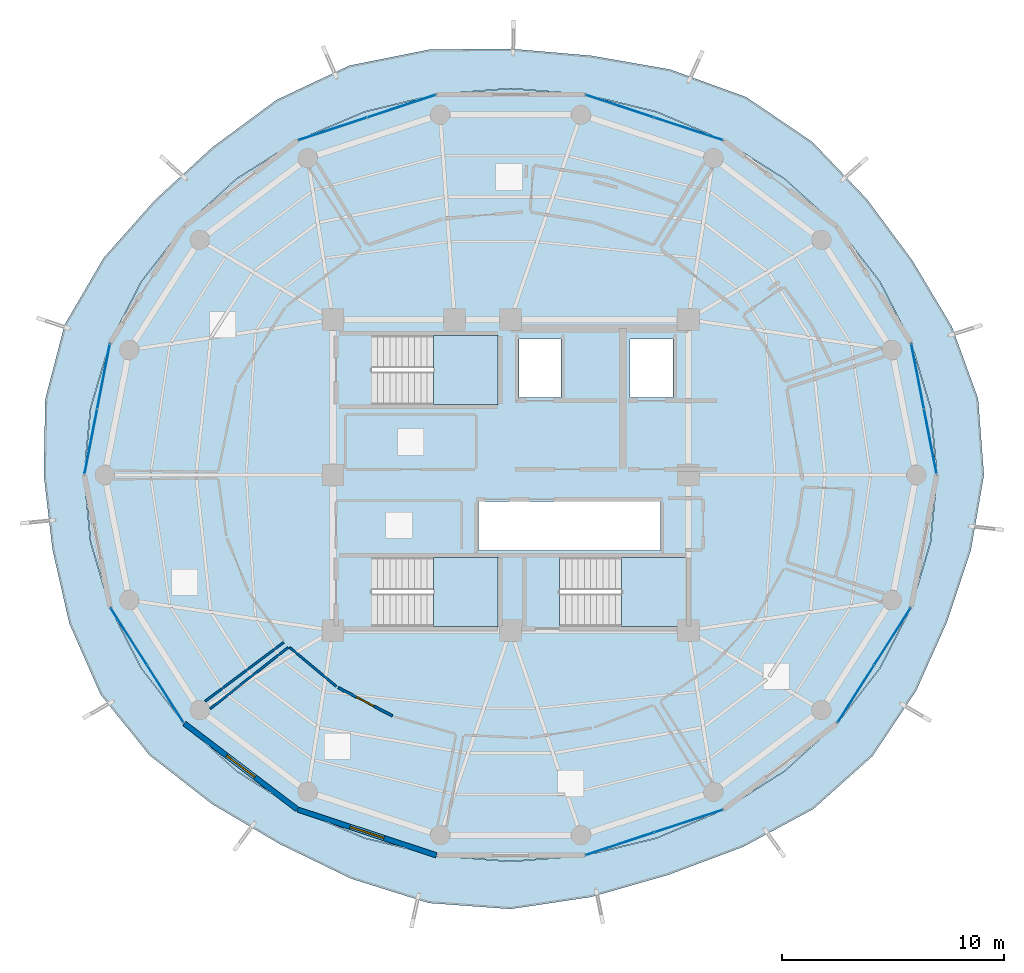
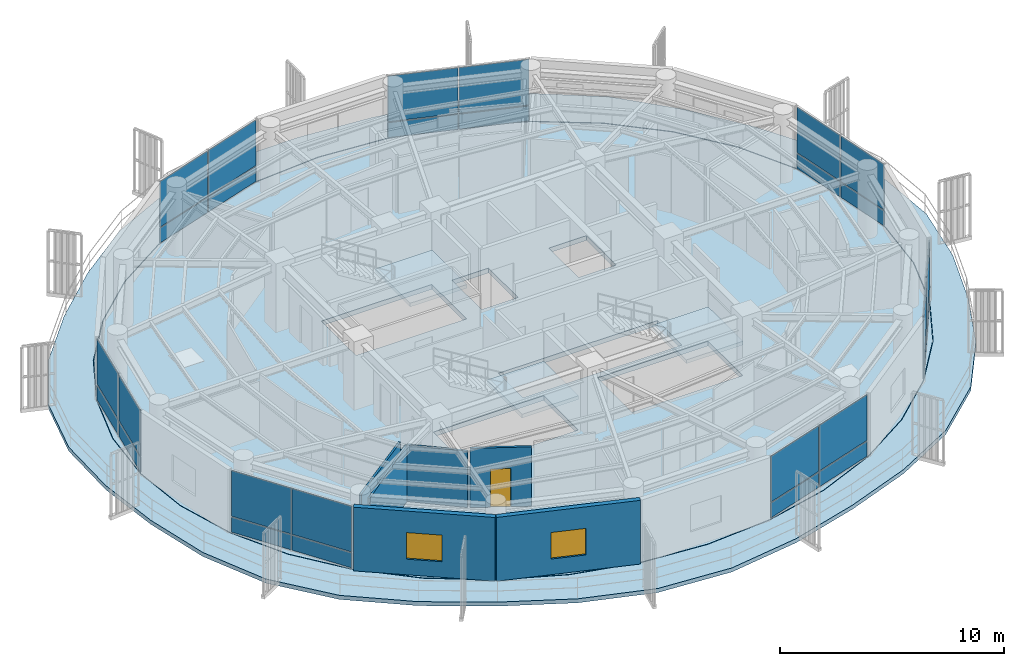
# One storey, part 14 of 22: 28 plates, 6 walls, 5 slabs, 2 windows, 1 door, 3 openings, 10 elements without a shape of their own.
"""IFC4 building model written with IfcOpenShell, lengths in metres."""

from ifc_helpers import new_model, si_unit, direction, frame, frame_2d, origin, origin_2d, place, context, subcontext, project, spatial, polyline, rectangle, outline, extrude, source, transform, mapped, material, layer, layer_set, type_object, element, fill, aggregate, save


model = new_model("IFC4")

# Units and contexts
model_context = context("Model", 3, precision=1e-05, world=origin(), true_north=direction((0.0, 1.0)))
body_context = subcontext(model_context, "Body", "Model", "MODEL_VIEW")
ifc_project = project(units=[si_unit("LENGTHUNIT", "METRE"), si_unit("AREAUNIT", "SQUARE_METRE"), si_unit("VOLUMEUNIT", "CUBIC_METRE"), si_unit("PLANEANGLEUNIT", "RADIAN"), si_unit("MASSUNIT", "GRAM", prefix="KILO")], contexts=[model_context])

# Site, building, storey
site_placement = place(None, origin())
site = spatial("IfcSite", under=ifc_project, at=site_placement, CompositionType="ELEMENT")
building_placement = place(site_placement, origin())
building = spatial("IfcBuilding", under=site, at=building_placement, Name="Kelanora Arch Commons", CompositionType="ELEMENT")
storey_placement = place(building_placement, frame((0.0, 0.0, 259.949951171875)))
storey = spatial("IfcBuildingStorey", under=building, at=storey_placement, Name="L66", CompositionType="ELEMENT", Elevation=259.949951171875)

# Stair, slab
ifc_material_1 = material(Name="Concrete C40/50", Category="concrete")
stair_type = type_object("IfcStairType", Name="STR-DL-375", PredefinedType="HALF_TURN_STAIR", material=ifc_material_1)
stair_1_placement = place(storey_placement, origin())
stair_1 = element("IfcStair", 1, at=stair_1_placement, inside=storey, type_object=stair_type, Name="L66 ST-T1", PredefinedType="HALF_TURN_STAIR")
ifc_layer_1 = layer(ifc_material_1, 0.199951171875)
ifc_layer_set_1 = layer_set([ifc_layer_1], Name="Concrete C40/50")
slab_type_1 = type_object("IfcSlabType", Name="SLB-STAIR-LND", PredefinedType="LANDING", material=ifc_layer_set_1)
slab_1_placement = place(storey_placement, frame((0.0, 0.0, 1.675048828125)))
slab_1 = element("IfcSlab", 2, at=slab_1_placement, type_object=slab_type_1, Name="ST-T1 landing 1", PredefinedType="LANDING", context=body_context, shape_type="SweptSolid", body=[
    extrude(outline(polyline([(70.52001953125, 61.179931640625), (73.43994140625, 61.179931640625), (73.43994140625, 64.2900390625), (70.52001953125, 64.2900390625), (70.52001953125, 61.179931640625)])), origin(), (0.0, 0.0, 1.0), 0.199951171875),
])
aggregate(stair_1, [slab_1])

stair_2_placement = place(storey_placement, origin())
stair_2 = element("IfcStair", 3, at=stair_2_placement, inside=storey, type_object=stair_type, Name="L66 ST-T2", PredefinedType="HALF_TURN_STAIR")
slab_2_placement = place(storey_placement, frame((0.0, 0.0, 1.675048828125)))
slab_2 = element("IfcSlab", 4, at=slab_2_placement, type_object=slab_type_1, Name="ST-T2 landing 1", PredefinedType="LANDING", context=body_context, shape_type="SweptSolid", body=[
    extrude(outline(polyline([(79.0, 51.179931640625), (81.919921875, 51.179931640625), (81.919921875, 54.2900390625), (79.0, 54.2900390625), (79.0, 51.179931640625)])), origin(), (0.0, 0.0, 1.0), 0.199951171875),
])
aggregate(stair_2, [slab_2])

stair_3_placement = place(storey_placement, origin())
stair_3 = element("IfcStair", 5, at=stair_3_placement, inside=storey, type_object=stair_type, Name="L66 ST-T3", PredefinedType="HALF_TURN_STAIR")
slab_3_placement = place(storey_placement, frame((0.0, 0.0, 1.675048828125)))
slab_3 = element("IfcSlab", 6, at=slab_3_placement, type_object=slab_type_1, Name="ST-T3 landing 1", PredefinedType="LANDING", context=body_context, shape_type="SweptSolid", body=[
    extrude(outline(polyline([(70.52001953125, 51.179931640625), (73.43994140625, 51.179931640625), (73.43994140625, 54.2900390625), (70.52001953125, 54.2900390625), (70.52001953125, 51.179931640625)])), origin(), (0.0, 0.0, 1.0), 0.199951171875),
])
aggregate(stair_3, [slab_3])

# Slabs
ifc_layer_2 = layer(ifc_material_1, 0.260009765625)
ifc_layer_set_2 = layer_set([ifc_layer_2], Name="Concrete C40/50")
slab_type_2 = type_object("IfcSlabType", Name="SLB-TWR-TYP", PredefinedType="FLOOR", material=ifc_layer_set_2)
slab_4_placement = place(storey_placement, frame((0.0, 0.0, -0.260009765625)))
element("IfcSlab", 7, at=slab_4_placement, inside=storey, type_object=slab_type_2, Name="Tower Floor Slab L66", PredefinedType="FLOOR", context=body_context, shape_type="SweptSolid", body=[
    extrude(outline(polyline([(93.199951171875, 58.0), (92.908203125, 61.021484375), (92.0419921875, 63.951171875), (90.627685546875, 66.699951171875), (88.7080078125, 69.1845703125), (86.341552734375, 71.3291015625), (83.60009765625, 73.06884765625), (80.56689453125, 74.3505859375), (77.333984375, 75.1357421875), (74.0, 75.39990234375), (70.666015625, 75.1357421875), (67.43310546875, 74.3505859375), (64.39990234375, 73.06884765625), (61.658447265625, 71.3291015625), (59.2919921875, 69.1845703125), (57.372314453125, 66.699951171875), (55.9580078125, 63.951171875), (55.091796875, 61.021484375), (54.800048828125, 58.0), (55.091796875, 54.978515625), (55.9580078125, 52.048828125), (57.372314453125, 49.300048828125), (59.2919921875, 46.8154296875), (61.658447265625, 44.6708984375), (64.39990234375, 42.93115234375), (67.43310546875, 41.6494140625), (70.666015625, 40.8642578125), (74.0, 40.60009765625), (77.333984375, 40.8642578125), (80.56689453125, 41.6494140625), (83.60009765625, 42.93115234375), (86.341552734375, 44.6708984375), (88.7080078125, 46.8154296875), (90.627685546875, 49.300048828125), (92.0419921875, 52.048828125), (92.908203125, 54.978515625), (93.199951171875, 58.0)]), holes=[polyline([(73.431884765625, 51.18798828125), (67.72802734375, 51.18798828125), (67.72802734375, 54.281982421875), (73.431884765625, 54.281982421875), (73.431884765625, 51.18798828125)]), polyline([(76.2080078125, 51.18798828125), (76.2080078125, 54.281982421875), (81.912109375, 54.281982421875), (81.912109375, 51.18798828125), (76.2080078125, 51.18798828125)]), polyline([(72.550048828125, 54.60009765625), (72.550048828125, 56.800048828125), (80.75, 56.800048828125), (80.75, 54.60009765625), (72.550048828125, 54.60009765625)]), polyline([(73.431884765625, 61.18798828125), (67.72802734375, 61.18798828125), (67.72802734375, 64.281982421875), (73.431884765625, 64.281982421875), (73.431884765625, 61.18798828125)]), polyline([(74.3798828125, 61.47998046875), (74.3798828125, 64.1201171875), (76.260009765625, 64.1201171875), (76.260009765625, 61.47998046875), (74.3798828125, 61.47998046875)]), polyline([(79.3798828125, 61.47998046875), (79.3798828125, 64.1201171875), (81.320068359375, 64.1201171875), (81.320068359375, 61.47998046875), (79.3798828125, 61.47998046875)])]), origin(), (0.0, 0.0, 1.0), 0.260009765625),
])
ifc_layer_3 = layer(ifc_material_1, 0.219970703125)
ifc_layer_set_3 = layer_set([ifc_layer_3], Name="Concrete C40/50")
slab_type_3 = type_object("IfcSlabType", Name="SLB-WAVE-BAL", PredefinedType="FLOOR", material=ifc_layer_set_3)
slab_5_placement = place(storey_placement, frame((0.0, 0.0, -0.219970703125)))
element("IfcSlab", 8, at=slab_5_placement, inside=storey, type_object=slab_type_3, Name="Sinusoidal Wave Balcony Slab L66", PredefinedType="FLOOR", context=body_context, shape_type="SweptSolid", body=[
    extrude(outline(polyline([(95.32275390625, 58.0), (95.05908203125, 61.43994140625), (93.874755859375, 64.687255859375), (92.111083984375, 67.64501953125), (90.048828125, 70.42578125), (87.606689453125, 72.992919921875), (84.62060546875, 75.01953125), (81.197998046875, 76.26416015625), (77.6142578125, 76.88916015625), (74.0, 77.19873046875), (70.341796875, 77.16357421875), (66.742431640625, 76.444580078125), (63.447998046875, 74.888427734375), (60.569580078125, 72.760986328125), (57.989013671875, 70.39111328125), (55.6728515625, 67.78271484375), (53.9150390625, 64.771484375), (53.040283203125, 61.420654296875), (52.972900390625, 58.0), (53.365234375, 54.642578125), (54.125244140625, 51.312744140625), (55.5244140625, 48.122802734375), (57.734375, 45.373291015625), (60.53271484375, 43.190185546875), (63.58935546875, 41.3818359375), (66.8271484375, 39.811767578125), (70.322998046875, 38.71728515625), (74.0, 38.44873046875), (77.63330078125, 38.99169921875), (81.11328125, 39.9921875), (84.47900390625, 41.2509765625), (87.6435546875, 42.95849609375), (90.303466796875, 45.33837890625), (92.259765625, 48.26025390625), (93.66455078125, 51.397216796875), (94.734130859375, 54.623291015625), (95.32275390625, 58.0)]), holes=[polyline([(92.927978515625, 54.97509765625), (92.060791015625, 52.0419921875), (90.64501953125, 49.2900390625), (88.723388671875, 46.802490234375), (86.3544921875, 44.655517578125), (83.610107421875, 42.913818359375), (80.573486328125, 41.630615234375), (77.33740234375, 40.844482421875), (74.0, 40.580078125), (70.66259765625, 40.844482421875), (67.426513671875, 41.630615234375), (64.389892578125, 42.913818359375), (61.6455078125, 44.655517578125), (59.276611328125, 46.802490234375), (57.35498046875, 49.2900390625), (55.939208984375, 52.0419921875), (55.072021484375, 54.97509765625), (54.780029296875, 58.0), (55.072021484375, 61.02490234375), (55.939208984375, 63.9580078125), (57.35498046875, 66.7099609375), (59.276611328125, 69.197509765625), (61.6455078125, 71.344482421875), (64.389892578125, 73.086181640625), (67.426513671875, 74.369384765625), (70.66259765625, 75.155517578125), (74.0, 75.419921875), (77.33740234375, 75.155517578125), (80.573486328125, 74.369384765625), (83.610107421875, 73.086181640625), (86.3544921875, 71.344482421875), (88.723388671875, 69.197509765625), (90.64501953125, 66.7099609375), (92.060791015625, 63.9580078125), (92.927978515625, 61.02490234375), (93.219970703125, 58.0), (92.927978515625, 54.97509765625)])]), origin(), (0.0, 0.0, 1.0), 0.219970703125),
])

# Curtain wall, plates
ifc_material_2 = material(Name="Terracotta ceramic-fritted low-E glass and aluminium", Category="masonry")
ifc_layer_4 = layer(ifc_material_2, 0.18994140625)
ifc_layer_set_4 = layer_set([ifc_layer_4], Name="Terracotta ceramic-fritted low-E glass and aluminium")
curtain_wall_type = type_object("IfcCurtainWallType", Name="CW-SYS-03", PredefinedType="NOTDEFINED", material=ifc_layer_set_4)
curtain_wall_1_placement = place(storey_placement, origin())
curtain_wall_1 = element("IfcCurtainWall", 9, at=curtain_wall_1_placement, inside=storey, type_object=curtain_wall_type, Name="Unitised Curtain Wall L66-B00", PredefinedType="NOTDEFINED")
ifc_material_3 = material(Name="Terracotta ceramic-fritted double glazing", Category="masonry")
ifc_layer_5 = layer(ifc_material_3, 0.028076171875)
ifc_layer_set_5 = layer_set([ifc_layer_5], Name="Terracotta ceramic-fritted double glazing")
plate_type = type_object("IfcPlateType", Name="CWP-FRIT", PredefinedType="CURTAIN_PANEL", material=ifc_layer_set_5)
shared_shape_1 = source(origin(), body_context, "Body", "SweptSolid", [
    extrude(rectangle(XDim=2.926513671875, YDim=0.028076171875, at=origin_2d()), origin(), (0.0, 0.0, 1.0), 0.81005859375),
])
plate_1_placement = place(storey_placement, frame((92.90625, 59.509765625, 0.06005859375), z_axis=(0.0, 0.0, 1.0), x_axis=(-0.190971701941, 0.981595542501, 0.0)))
plate_1 = element("IfcPlate", 10, at=plate_1_placement, type_object=plate_type, Name="CW-03 panel 1.1", PredefinedType="CURTAIN_PANEL", context=body_context, shape_type="MappedRepresentation", body=[
    mapped(shared_shape_1, transform((0.0, 0.0, 0.0), scale=1.0)),
])
plate_2_placement = place(storey_placement, frame((92.3359375, 62.44140625, 0.06005859375), z_axis=(0.0, 0.0, 1.0), x_axis=(-0.190971701941, 0.981595542501, 0.0)))
plate_2 = element("IfcPlate", 11, at=plate_2_placement, type_object=plate_type, Name="CW-03 panel 2.1", PredefinedType="CURTAIN_PANEL", context=body_context, shape_type="MappedRepresentation", body=[
    mapped(shared_shape_1, transform((0.0, 0.0, 0.0), scale=1.0)),
])

curtain_wall_2_placement = place(storey_placement, origin())
curtain_wall_2 = element("IfcCurtainWall", 12, at=curtain_wall_2_placement, inside=storey, type_object=curtain_wall_type, Name="Unitised Curtain Wall L66-B08", PredefinedType="NOTDEFINED")
plate_3_placement = place(storey_placement, frame((55.6640625, 62.44140625, 0.06005859375), z_axis=(0.0, 0.0, 1.0), x_axis=(-0.190971701941, -0.981595542501, 0.0)))
plate_3 = element("IfcPlate", 13, at=plate_3_placement, type_object=plate_type, Name="CW-03 panel 1.1", PredefinedType="CURTAIN_PANEL", context=body_context, shape_type="MappedRepresentation", body=[
    mapped(shared_shape_1, transform((0.0, 0.0, 0.0), scale=1.0)),
])
plate_4_placement = place(storey_placement, frame((55.09375, 59.509765625, 0.06005859375), z_axis=(0.0, 0.0, 1.0), x_axis=(-0.190971701941, -0.981595542501, 0.0)))
plate_4 = element("IfcPlate", 14, at=plate_4_placement, type_object=plate_type, Name="CW-03 panel 2.1", PredefinedType="CURTAIN_PANEL", context=body_context, shape_type="MappedRepresentation", body=[
    mapped(shared_shape_1, transform((0.0, 0.0, 0.0), scale=1.0)),
])

# Plate
shared_shape_2 = source(origin(), body_context, "Body", "SweptSolid", [
    extrude(rectangle(XDim=2.926513671875, YDim=0.028076171875, at=origin_2d()), origin(), (0.0, 0.0, 1.0), 2.485107421875),
])
plate_5_placement = place(storey_placement, frame((92.90625, 59.509765625, 0.93017578125), z_axis=(0.0, 0.0, 1.0), x_axis=(-0.190971701941, 0.981595542501, 0.0)))
plate_5 = element("IfcPlate", 15, at=plate_5_placement, type_object=plate_type, Name="CW-03 panel 1.2", PredefinedType="CURTAIN_PANEL", context=body_context, shape_type="MappedRepresentation", body=[
    mapped(shared_shape_2, transform((0.0, 0.0, 0.0), scale=1.0)),
])

plate_6_placement = place(storey_placement, frame((92.3359375, 62.44140625, 0.93017578125), z_axis=(0.0, 0.0, 1.0), x_axis=(-0.190971701941, 0.981595542501, 0.0)))
plate_6 = element("IfcPlate", 16, at=plate_6_placement, type_object=plate_type, Name="CW-03 panel 2.2", PredefinedType="CURTAIN_PANEL", context=body_context, shape_type="MappedRepresentation", body=[
    mapped(shared_shape_2, transform((0.0, 0.0, 0.0), scale=1.0)),
])

aggregate(curtain_wall_1, [plate_1, plate_5, plate_2, plate_6])

plate_7_placement = place(storey_placement, frame((55.6640625, 62.44140625, 0.93017578125), z_axis=(0.0, 0.0, 1.0), x_axis=(-0.190971701941, -0.981595542501, 0.0)))
plate_7 = element("IfcPlate", 17, at=plate_7_placement, type_object=plate_type, Name="CW-03 panel 1.2", PredefinedType="CURTAIN_PANEL", context=body_context, shape_type="MappedRepresentation", body=[
    mapped(shared_shape_2, transform((0.0, 0.0, 0.0), scale=1.0)),
])

plate_8_placement = place(storey_placement, frame((55.09375, 59.509765625, 0.93017578125), z_axis=(0.0, 0.0, 1.0), x_axis=(-0.190971701941, -0.981595542501, 0.0)))
plate_8 = element("IfcPlate", 18, at=plate_8_placement, type_object=plate_type, Name="CW-03 panel 2.2", PredefinedType="CURTAIN_PANEL", context=body_context, shape_type="MappedRepresentation", body=[
    mapped(shared_shape_2, transform((0.0, 0.0, 0.0), scale=1.0)),
])

aggregate(curtain_wall_2, [plate_3, plate_7, plate_4, plate_8])

# Curtain wall, plates
curtain_wall_3_placement = place(storey_placement, origin())
curtain_wall_3 = element("IfcCurtainWall", 19, at=curtain_wall_3_placement, inside=storey, type_object=curtain_wall_type, Name="Unitised Curtain Wall L66-B03", PredefinedType="NOTDEFINED")
shared_shape_3 = source(origin(), body_context, "Body", "SweptSolid", [
    extrude(rectangle(XDim=3.194091796875, YDim=0.028076171875, at=origin_2d()), origin(), (0.0, 0.0, 1.0), 0.81005859375),
])
plate_9_placement = place(storey_placement, frame((82.01220703125, 73.592529296875, 0.06005859375), z_axis=(0.0, 0.0, 1.0), x_axis=(-0.949669780752, 0.313252785344, 0.0)))
plate_9 = element("IfcPlate", 20, at=plate_9_placement, type_object=plate_type, Name="CW-03 panel 1.1", PredefinedType="CURTAIN_PANEL", context=body_context, shape_type="MappedRepresentation", body=[
    mapped(shared_shape_3, transform((0.0, 0.0, 0.0), scale=1.0)),
])
plate_10_placement = place(storey_placement, frame((78.921875, 74.61181640625, 0.06005859375), z_axis=(0.0, 0.0, 1.0), x_axis=(-0.949669780752, 0.313252785344, 0.0)))
plate_10 = element("IfcPlate", 21, at=plate_10_placement, type_object=plate_type, Name="CW-03 panel 2.1", PredefinedType="CURTAIN_PANEL", context=body_context, shape_type="MappedRepresentation", body=[
    mapped(shared_shape_3, transform((0.0, 0.0, 0.0), scale=1.0)),
])

curtain_wall_4_placement = place(storey_placement, origin())
curtain_wall_4 = element("IfcCurtainWall", 22, at=curtain_wall_4_placement, inside=storey, type_object=curtain_wall_type, Name="Unitised Curtain Wall L66-B05", PredefinedType="NOTDEFINED")
plate_11_placement = place(storey_placement, frame((69.078125, 74.61181640625, 0.06005859375), z_axis=(0.0, 0.0, 1.0), x_axis=(-0.949669780752, -0.313252785344, 0.0)))
plate_11 = element("IfcPlate", 23, at=plate_11_placement, type_object=plate_type, Name="CW-03 panel 1.1", PredefinedType="CURTAIN_PANEL", context=body_context, shape_type="MappedRepresentation", body=[
    mapped(shared_shape_3, transform((0.0, 0.0, 0.0), scale=1.0)),
])
plate_12_placement = place(storey_placement, frame((65.98779296875, 73.592529296875, 0.06005859375), z_axis=(0.0, 0.0, 1.0), x_axis=(-0.949669780752, -0.313252785344, 0.0)))
plate_12 = element("IfcPlate", 24, at=plate_12_placement, type_object=plate_type, Name="CW-03 panel 2.1", PredefinedType="CURTAIN_PANEL", context=body_context, shape_type="MappedRepresentation", body=[
    mapped(shared_shape_3, transform((0.0, 0.0, 0.0), scale=1.0)),
])

curtain_wall_5_placement = place(storey_placement, origin())
curtain_wall_5 = element("IfcCurtainWall", 25, at=curtain_wall_5_placement, inside=storey, type_object=curtain_wall_type, Name="Unitised Curtain Wall L66-B14", PredefinedType="NOTDEFINED")
plate_13_placement = place(storey_placement, frame((78.921875, 41.38818359375, 0.06005859375), z_axis=(0.0, 0.0, 1.0), x_axis=(0.949669780752, 0.313252785344, 0.0)))
plate_13 = element("IfcPlate", 26, at=plate_13_placement, type_object=plate_type, Name="CW-03 panel 1.1", PredefinedType="CURTAIN_PANEL", context=body_context, shape_type="MappedRepresentation", body=[
    mapped(shared_shape_3, transform((0.0, 0.0, 0.0), scale=1.0)),
])
plate_14_placement = place(storey_placement, frame((82.01220703125, 42.407470703125, 0.06005859375), z_axis=(0.0, 0.0, 1.0), x_axis=(0.949669780752, 0.313252785344, 0.0)))
plate_14 = element("IfcPlate", 27, at=plate_14_placement, type_object=plate_type, Name="CW-03 panel 2.1", PredefinedType="CURTAIN_PANEL", context=body_context, shape_type="MappedRepresentation", body=[
    mapped(shared_shape_3, transform((0.0, 0.0, 0.0), scale=1.0)),
])

# Plate
shared_shape_4 = source(origin(), body_context, "Body", "SweptSolid", [
    extrude(rectangle(XDim=3.194091796875, YDim=0.028076171875, at=origin_2d()), origin(), (0.0, 0.0, 1.0), 2.485107421875),
])
plate_15_placement = place(storey_placement, frame((82.01220703125, 73.592529296875, 0.93017578125), z_axis=(0.0, 0.0, 1.0), x_axis=(-0.949669780752, 0.313252785344, 0.0)))
plate_15 = element("IfcPlate", 28, at=plate_15_placement, type_object=plate_type, Name="CW-03 panel 1.2", PredefinedType="CURTAIN_PANEL", context=body_context, shape_type="MappedRepresentation", body=[
    mapped(shared_shape_4, transform((0.0, 0.0, 0.0), scale=1.0)),
])

plate_16_placement = place(storey_placement, frame((78.921875, 74.61181640625, 0.93017578125), z_axis=(0.0, 0.0, 1.0), x_axis=(-0.949669780752, 0.313252785344, 0.0)))
plate_16 = element("IfcPlate", 29, at=plate_16_placement, type_object=plate_type, Name="CW-03 panel 2.2", PredefinedType="CURTAIN_PANEL", context=body_context, shape_type="MappedRepresentation", body=[
    mapped(shared_shape_4, transform((0.0, 0.0, 0.0), scale=1.0)),
])

aggregate(curtain_wall_3, [plate_9, plate_15, plate_10, plate_16])

plate_17_placement = place(storey_placement, frame((69.078125, 74.61181640625, 0.93017578125), z_axis=(0.0, 0.0, 1.0), x_axis=(-0.949669780752, -0.313252785344, 0.0)))
plate_17 = element("IfcPlate", 30, at=plate_17_placement, type_object=plate_type, Name="CW-03 panel 1.2", PredefinedType="CURTAIN_PANEL", context=body_context, shape_type="MappedRepresentation", body=[
    mapped(shared_shape_4, transform((0.0, 0.0, 0.0), scale=1.0)),
])

plate_18_placement = place(storey_placement, frame((65.98779296875, 73.592529296875, 0.93017578125), z_axis=(0.0, 0.0, 1.0), x_axis=(-0.949669780752, -0.313252785344, 0.0)))
plate_18 = element("IfcPlate", 31, at=plate_18_placement, type_object=plate_type, Name="CW-03 panel 2.2", PredefinedType="CURTAIN_PANEL", context=body_context, shape_type="MappedRepresentation", body=[
    mapped(shared_shape_4, transform((0.0, 0.0, 0.0), scale=1.0)),
])

aggregate(curtain_wall_4, [plate_11, plate_17, plate_12, plate_18])

plate_19_placement = place(storey_placement, frame((78.921875, 41.38818359375, 0.93017578125), z_axis=(0.0, 0.0, 1.0), x_axis=(0.949669780752, 0.313252785344, 0.0)))
plate_19 = element("IfcPlate", 32, at=plate_19_placement, type_object=plate_type, Name="CW-03 panel 1.2", PredefinedType="CURTAIN_PANEL", context=body_context, shape_type="MappedRepresentation", body=[
    mapped(shared_shape_4, transform((0.0, 0.0, 0.0), scale=1.0)),
])

plate_20_placement = place(storey_placement, frame((82.01220703125, 42.407470703125, 0.93017578125), z_axis=(0.0, 0.0, 1.0), x_axis=(0.949669780752, 0.313252785344, 0.0)))
plate_20 = element("IfcPlate", 33, at=plate_20_placement, type_object=plate_type, Name="CW-03 panel 2.2", PredefinedType="CURTAIN_PANEL", context=body_context, shape_type="MappedRepresentation", body=[
    mapped(shared_shape_4, transform((0.0, 0.0, 0.0), scale=1.0)),
])

aggregate(curtain_wall_5, [plate_13, plate_19, plate_14, plate_20])

# Curtain wall, plates
curtain_wall_6_placement = place(storey_placement, origin())
curtain_wall_6 = element("IfcCurtainWall", 34, at=curtain_wall_6_placement, inside=storey, type_object=curtain_wall_type, Name="Unitised Curtain Wall L66-B10", PredefinedType="NOTDEFINED")
shared_shape_5 = source(origin(), body_context, "Body", "SweptSolid", [
    extrude(rectangle(XDim=2.99755859375, YDim=0.028076171875, at=origin_2d()), origin(), (0.0, 0.0, 1.0), 0.81005859375),
])
plate_21_placement = place(storey_placement, frame((56.803466796875, 50.721435546875, 0.06005859375), z_axis=(0.0, 0.0, 1.0), x_axis=(0.537299814397, -0.843391314545, 0.0)))
plate_21 = element("IfcPlate", 35, at=plate_21_placement, type_object=plate_type, Name="CW-03 panel 1.1", PredefinedType="CURTAIN_PANEL", context=body_context, shape_type="MappedRepresentation", body=[
    mapped(shared_shape_5, transform((0.0, 0.0, 0.0), scale=1.0)),
])
plate_22_placement = place(storey_placement, frame((58.4462890625, 48.142822265625, 0.06005859375), z_axis=(0.0, 0.0, 1.0), x_axis=(0.537299814397, -0.843391314545, 0.0)))
plate_22 = element("IfcPlate", 36, at=plate_22_placement, type_object=plate_type, Name="CW-03 panel 2.1", PredefinedType="CURTAIN_PANEL", context=body_context, shape_type="MappedRepresentation", body=[
    mapped(shared_shape_5, transform((0.0, 0.0, 0.0), scale=1.0)),
])

curtain_wall_7_placement = place(storey_placement, origin())
curtain_wall_7 = element("IfcCurtainWall", 37, at=curtain_wall_7_placement, inside=storey, type_object=curtain_wall_type, Name="Unitised Curtain Wall L66-B16", PredefinedType="NOTDEFINED")
plate_23_placement = place(storey_placement, frame((89.5537109375, 48.142822265625, 0.06005859375), z_axis=(0.0, 0.0, 1.0), x_axis=(0.537299814397, 0.843391314545, 0.0)))
plate_23 = element("IfcPlate", 38, at=plate_23_placement, type_object=plate_type, Name="CW-03 panel 1.1", PredefinedType="CURTAIN_PANEL", context=body_context, shape_type="MappedRepresentation", body=[
    mapped(shared_shape_5, transform((0.0, 0.0, 0.0), scale=1.0)),
])
plate_24_placement = place(storey_placement, frame((91.196533203125, 50.721435546875, 0.06005859375), z_axis=(0.0, 0.0, 1.0), x_axis=(0.537299814397, 0.843391314545, 0.0)))
plate_24 = element("IfcPlate", 39, at=plate_24_placement, type_object=plate_type, Name="CW-03 panel 2.1", PredefinedType="CURTAIN_PANEL", context=body_context, shape_type="MappedRepresentation", body=[
    mapped(shared_shape_5, transform((0.0, 0.0, 0.0), scale=1.0)),
])

# Plate
shared_shape_6 = source(origin(), body_context, "Body", "SweptSolid", [
    extrude(rectangle(XDim=2.99755859375, YDim=0.028076171875, at=origin_2d()), origin(), (0.0, 0.0, 1.0), 2.485107421875),
])
plate_25_placement = place(storey_placement, frame((56.803466796875, 50.721435546875, 0.93017578125), z_axis=(0.0, 0.0, 1.0), x_axis=(0.537299814397, -0.843391314545, 0.0)))
plate_25 = element("IfcPlate", 40, at=plate_25_placement, type_object=plate_type, Name="CW-03 panel 1.2", PredefinedType="CURTAIN_PANEL", context=body_context, shape_type="MappedRepresentation", body=[
    mapped(shared_shape_6, transform((0.0, 0.0, 0.0), scale=1.0)),
])

plate_26_placement = place(storey_placement, frame((58.4462890625, 48.142822265625, 0.93017578125), z_axis=(0.0, 0.0, 1.0), x_axis=(0.537299814397, -0.843391314545, 0.0)))
plate_26 = element("IfcPlate", 41, at=plate_26_placement, type_object=plate_type, Name="CW-03 panel 2.2", PredefinedType="CURTAIN_PANEL", context=body_context, shape_type="MappedRepresentation", body=[
    mapped(shared_shape_6, transform((0.0, 0.0, 0.0), scale=1.0)),
])

aggregate(curtain_wall_6, [plate_21, plate_25, plate_22, plate_26])

plate_27_placement = place(storey_placement, frame((89.5537109375, 48.142822265625, 0.93017578125), z_axis=(0.0, 0.0, 1.0), x_axis=(0.537299814397, 0.843391314545, 0.0)))
plate_27 = element("IfcPlate", 42, at=plate_27_placement, type_object=plate_type, Name="CW-03 panel 1.2", PredefinedType="CURTAIN_PANEL", context=body_context, shape_type="MappedRepresentation", body=[
    mapped(shared_shape_6, transform((0.0, 0.0, 0.0), scale=1.0)),
])

plate_28_placement = place(storey_placement, frame((91.196533203125, 50.721435546875, 0.93017578125), z_axis=(0.0, 0.0, 1.0), x_axis=(0.537299814397, 0.843391314545, 0.0)))
plate_28 = element("IfcPlate", 43, at=plate_28_placement, type_object=plate_type, Name="CW-03 panel 2.2", PredefinedType="CURTAIN_PANEL", context=body_context, shape_type="MappedRepresentation", body=[
    mapped(shared_shape_6, transform((0.0, 0.0, 0.0), scale=1.0)),
])

aggregate(curtain_wall_7, [plate_23, plate_27, plate_24, plate_28])

# Wall, opening, window
ifc_material_4 = material(Name="Precast concrete C40/50 upper-zone terracotta rainscreen", Category="masonry")
ifc_layer_6 = layer(ifc_material_4, 0.239990234375)
ifc_layer_set_6 = layer_set([ifc_layer_6], Name="Precast concrete C40/50 upper-zone terracotta rainscreen")
wall_type_1 = type_object("IfcWallType", Name="W-EXT-TC2", PredefinedType="SOLIDWALL", material=ifc_layer_set_6)
wall_1_placement = place(storey_placement, frame((59.3037109375, 46.806396484375, 0.0), z_axis=(0.0, 0.0, 1.0), x_axis=(0.796010444211, -0.605282886514, 0.0)))
wall_1 = element("IfcWall", 44, at=wall_1_placement, inside=storey, type_object=wall_type_1, Name="Terracotta Exterior Wall L66-B11", PredefinedType="SOLIDWALL", context=body_context, shape_type="SweptSolid", body=[
    extrude(rectangle(XDim=6.387451171875, YDim=0.239990234375, at=frame_2d((3.19384765625, 0.0))), origin(), (0.0, 0.0, 1.0), 3.47509765625),
])
opening_1_placement = place(wall_1_placement, frame((2.39404296875, 0.0, 0.85009765625)))
opening_1 = element("IfcOpeningElement", 45, at=opening_1_placement, cuts=wall_1, Name="Opening WN-01", PredefinedType="OPENING", context=body_context, shape_type="SweptSolid", body=[
    extrude(rectangle(XDim=1.60009765625, YDim=1.449951171875, at=frame_2d((0.800048828125, 0.72509765625))), frame((0.0, 0.1298828125, 0.0), z_axis=(0.0, -1.0, 0.0), x_axis=(1.0, 0.0, 0.0)), (0.0, 0.0, 1.0), 0.260009765625),
])
ifc_material_5 = material(Name="Terracotta-anodised aluminium frame with operable low-E glazing", Category="masonry")
window_type = type_object("IfcWindowType", Name="WIN-CL-18", PartitioningType="DOUBLE_PANEL_VERTICAL", PredefinedType="WINDOW", material=ifc_material_5)
window_1_placement = place(opening_1_placement, origin())
window_1 = element("IfcWindow", 46, at=window_1_placement, inside=storey, type_object=window_type, Name="Co-Living Operable Window L66-B11", OverallHeight=1.449951171875, OverallWidth=1.60009765625, PartitioningType="SINGLE_PANEL", PredefinedType="WINDOW", context=body_context, shape_type="SweptSolid", body=[
    extrude(rectangle(XDim=1.60009765625, YDim=1.449951171875, at=frame_2d((0.800048828125, 0.72509765625))), frame((0.0, 0.030029296875, 0.0), z_axis=(0.0, -1.0, 0.0), x_axis=(1.0, 0.0, 0.0)), (0.0, 0.0, 1.0), 0.06005859375),
])
fill(opening_1, window_1)

wall_2_placement = place(storey_placement, frame((64.414306640625, 42.926513671875, 0.0), z_axis=(0.0, 0.0, 1.0), x_axis=(0.949663708393, -0.313271193954, 0.0)))
wall_2 = element("IfcWall", 47, at=wall_2_placement, inside=storey, type_object=wall_type_1, Name="Terracotta Exterior Wall L66-B12", PredefinedType="SOLIDWALL", context=body_context, shape_type="SweptSolid", body=[
    extrude(rectangle(XDim=6.568115234375, YDim=0.239990234375, at=frame_2d((3.2841796875, 0.0))), origin(), (0.0, 0.0, 1.0), 3.47509765625),
])
opening_2_placement = place(wall_2_placement, frame((2.48388671875, 0.0, 0.85009765625)))
opening_2 = element("IfcOpeningElement", 48, at=opening_2_placement, cuts=wall_2, Name="Opening WN-01", PredefinedType="OPENING", context=body_context, shape_type="SweptSolid", body=[
    extrude(rectangle(XDim=1.60009765625, YDim=1.449951171875, at=frame_2d((0.800048828125, 0.72509765625))), frame((0.0, 0.1298828125, 0.0), z_axis=(0.0, -1.0, 0.0), x_axis=(1.0, 0.0, 0.0)), (0.0, 0.0, 1.0), 0.260009765625),
])
window_2_placement = place(opening_2_placement, origin())
window_2 = element("IfcWindow", 49, at=window_2_placement, inside=storey, type_object=window_type, Name="Co-Living Operable Window L66-B12", OverallHeight=1.449951171875, OverallWidth=1.60009765625, PartitioningType="SINGLE_PANEL", PredefinedType="WINDOW", context=body_context, shape_type="SweptSolid", body=[
    extrude(rectangle(XDim=1.60009765625, YDim=1.449951171875, at=frame_2d((0.800048828125, 0.72509765625))), frame((0.0, 0.030029296875, 0.0), z_axis=(0.0, -1.0, 0.0), x_axis=(1.0, 0.0, 0.0)), (0.0, 0.0, 1.0), 0.06005859375),
])
fill(opening_2, window_2)

# Walls
ifc_material_6 = material(Name="Lightweight fire-rated acoustic stud partition")
ifc_layer_7 = layer(ifc_material_6, 0.10009765625)
ifc_layer_set_7 = layer_set([ifc_layer_7], Name="Lightweight fire-rated acoustic stud partition")
wall_type_2 = type_object("IfcWallType", Name="W-PART-100", PredefinedType="PARTITIONING", material=ifc_layer_set_7)
wall_3_placement = place(storey_placement, frame((63.777099609375, 50.4580078125, 0.0), z_axis=(0.0, 0.0, 1.0), x_axis=(-0.800384816546, -0.599486568191, 0.0)))
element("IfcWall", 50, at=wall_3_placement, inside=storey, type_object=wall_type_2, Name="Social Sky Lounge L66-04 Enclosure Partition 4", PredefinedType="PARTITIONING", context=body_context, shape_type="SweptSolid", body=[
    extrude(rectangle(XDim=4.413818359375, YDim=0.10009765625, at=frame_2d((2.20703125, 0.0))), origin(), (0.0, 0.0, 1.0), 3.175048828125),
])
wall_4_placement = place(storey_placement, frame((64.045654296875, 50.234375, 0.0), z_axis=(0.0, 0.0, 1.0), x_axis=(0.767022676895, -0.641619991216, 0.0)))
element("IfcWall", 51, at=wall_4_placement, inside=storey, type_object=wall_type_2, Name="Social Sky Lounge L66-05 Enclosure Partition 1", PredefinedType="PARTITIONING", context=body_context, shape_type="SweptSolid", body=[
    extrude(rectangle(XDim=2.7412109375, YDim=0.10009765625, at=frame_2d((1.37060546875, 0.0))), origin(), (0.0, 0.0, 1.0), 3.074951171875),
])
wall_5_placement = place(storey_placement, frame((60.4677734375, 47.467529296875, 0.0), z_axis=(0.0, 0.0, 1.0), x_axis=(0.785736749878, 0.618561039745, 0.0)))
element("IfcWall", 52, at=wall_5_placement, inside=storey, type_object=wall_type_2, Name="Social Sky Lounge L66-05 Enclosure Partition 8", PredefinedType="PARTITIONING", context=body_context, shape_type="SweptSolid", body=[
    extrude(rectangle(XDim=4.474609375, YDim=0.10009765625, at=frame_2d((2.2373046875, 0.0))), origin(), (0.0, 0.0, 1.0), 3.074951171875),
])

# Wall, opening, door
ifc_material_7 = material(Name="Acoustic twin-stud fire-rated gypsum partition")
ifc_layer_8 = layer(ifc_material_7, 0.1201171875)
ifc_layer_set_8 = layer_set([ifc_layer_8], Name="Acoustic twin-stud fire-rated gypsum partition")
wall_type_3 = type_object("IfcWallType", Name="W-PART-120", PredefinedType="PARTITIONING", material=ifc_layer_set_8)
wall_6_placement = place(storey_placement, frame((66.232177734375, 48.42236328125, 0.0), z_axis=(0.0, 0.0, 1.0), x_axis=(0.887021247279, -0.461728607382, 0.0)))
wall_6 = element("IfcWall", 53, at=wall_6_placement, inside=storey, type_object=wall_type_3, Name="Social Sky Lounge L66-05 Entry Partition", PredefinedType="PARTITIONING", context=body_context, shape_type="SweptSolid", body=[
    extrude(rectangle(XDim=2.7607421875, YDim=0.1201171875, at=frame_2d((1.38037109375, 0.0))), origin(), (0.0, 0.0, 1.0), 3.235107421875),
])
opening_3_placement = place(wall_6_placement, frame((0.929931640625, 0.0, 0.0)))
opening_3 = element("IfcOpeningElement", 54, at=opening_3_placement, cuts=wall_6, Name="Opening D-RM1", PredefinedType="OPENING", context=body_context, shape_type="SweptSolid", body=[
    extrude(rectangle(XDim=0.89990234375, YDim=2.080078125, at=frame_2d((0.449951171875, 1.0400390625))), frame((0.0, 0.070068359375, 0.0), z_axis=(0.0, -1.0, 0.0), x_axis=(1.0, 0.0, 0.0)), (0.0, 0.0, 1.0), 0.14013671875),
])
ifc_material_8 = material(Name="Acoustic fire-rated timber study and lounge door", Category="wood")
door_type = type_object("IfcDoorType", Name="D-ROOM-90", OperationType="NOTDEFINED", PredefinedType="DOOR", material=ifc_material_8)
door_placement = place(opening_3_placement, origin())
door = element("IfcDoor", 55, at=door_placement, inside=storey, type_object=door_type, Name="Social Sky Lounge L66-05 Door", OperationType="SINGLE_SWING_LEFT", OverallHeight=2.080078125, OverallWidth=0.89990234375, PredefinedType="DOOR", context=body_context, shape_type="SweptSolid", body=[
    extrude(rectangle(XDim=0.89990234375, YDim=2.080078125, at=frame_2d((0.449951171875, 1.0400390625))), frame((0.0, 0.02490234375, 0.0), z_axis=(0.0, -1.0, 0.0), x_axis=(1.0, 0.0, 0.0)), (0.0, 0.0, 1.0), 0.050048828125),
])
fill(opening_3, door)

save(model, "model.ifc")
